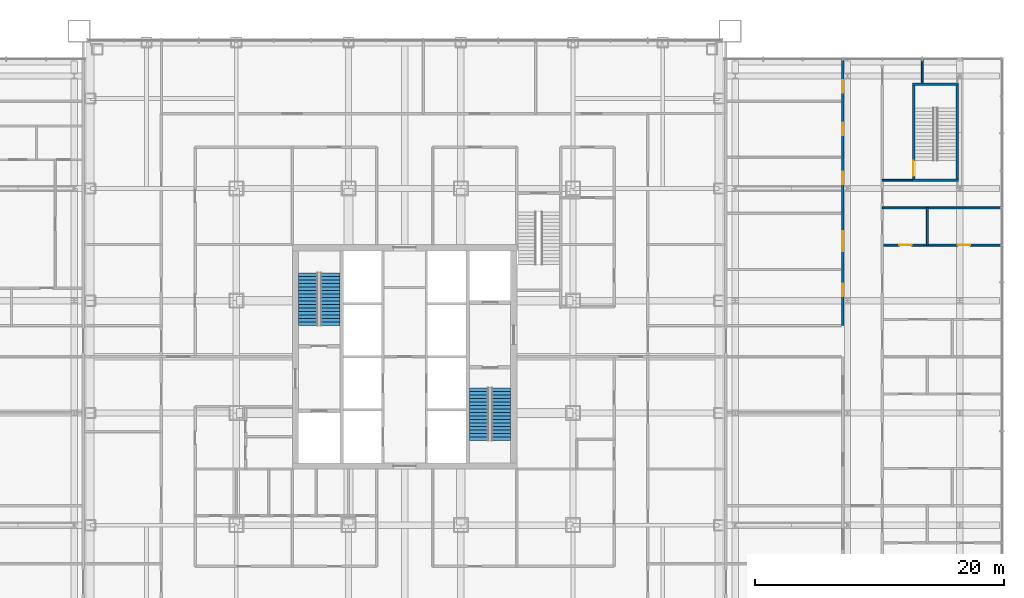
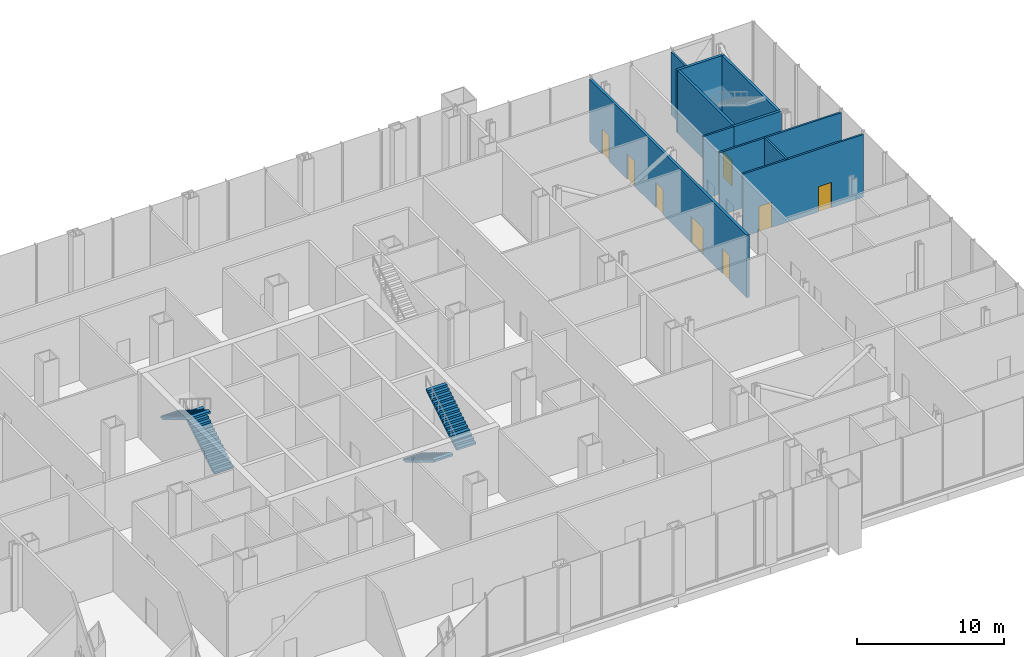
# One storey, part 19 of 25: 10 walls, 8 doors, 4 stair flights, 8 openings, 2 elements without a shape of their own.
"""IFC4 building model written with IfcOpenShell, lengths in metres."""

from ifc_helpers import new_model, si_unit, direction, frame, frame_2d, origin, place, context, subcontext, project, spatial, polyline, rectangle, outline, extrude, material, layer, layer_set, type_object, element, fill, aggregate, save


model = new_model("IFC4")

# Units and contexts
model_context = context("Model", 3, precision=1e-05, world=origin(), true_north=direction((0.0, 1.0)))
body_context = subcontext(model_context, "Body", "Model", "MODEL_VIEW")
ifc_project = project(units=[si_unit("LENGTHUNIT", "METRE"), si_unit("AREAUNIT", "SQUARE_METRE"), si_unit("VOLUMEUNIT", "CUBIC_METRE"), si_unit("PLANEANGLEUNIT", "RADIAN"), si_unit("MASSUNIT", "GRAM", prefix="KILO")], contexts=[model_context])

# Site, building, storey
site_placement = place(None, origin())
site = spatial("IfcSite", under=ifc_project, at=site_placement, CompositionType="ELEMENT")
building_placement = place(site_placement, origin())
building = spatial("IfcBuilding", under=site, at=building_placement, Name="Malebo Sky Hospital", CompositionType="ELEMENT")
storey_placement = place(building_placement, frame((0.0, 0.0, 11.0)))
storey = spatial("IfcBuildingStorey", under=building, at=storey_placement, Name="L02", CompositionType="ELEMENT", Elevation=11.0)

# Wall, openings, doors
ifc_material_1 = material(Name="Gypsum board on steel studs", Category="steel")
ifc_layer_1 = layer(ifc_material_1, 0.199951171875)
ifc_layer_set_1 = layer_set([ifc_layer_1], Name="CORRIDOR WALL 200")
wall_type_1 = type_object("IfcWallType", Name="CORRIDOR WALL 200", PredefinedType="PARTITIONING", material=ifc_layer_set_1)
wall_1_placement = place(storey_placement, frame((95.117919921875, 64.5, 0.0), z_axis=(0.0, 0.0, 1.0), x_axis=(0.0, 1.0, 0.0)))
wall_1 = element("IfcWall", 1, at=wall_1_placement, inside=storey, type_object=wall_type_1, Name="Corridor Wall 200 EWC2C", PredefinedType="PARTITIONING", context=body_context, shape_type="SweptSolid", body=[
    extrude(rectangle(XDim=21.35009765625, YDim=0.199951171875, at=frame_2d((10.675048828125, 0.0))), origin(), (0.0, 0.0, 1.0), 5.199951171875),
])
opening_1_placement = place(wall_1_placement, frame((2.35009765625, 0.0, 0.0)))
opening_1 = element("IfcOpeningElement", 2, at=opening_1_placement, cuts=wall_1, Name="Opening D03", PredefinedType="OPENING", context=body_context, shape_type="SweptSolid", body=[
    extrude(rectangle(XDim=1.0, YDim=2.10009765625, at=frame_2d((0.5, 1.050048828125))), frame((0.0, 0.10986328125, 0.0), z_axis=(0.0, -1.0, 0.0), x_axis=(1.0, 0.0, 0.0)), (0.0, 0.0, 1.0), 0.219970703125),
])
opening_2_placement = place(wall_1_placement, frame((5.949951171875, 0.0, 0.0)))
opening_2 = element("IfcOpeningElement", 3, at=opening_2_placement, cuts=wall_1, Name="Opening D14", PredefinedType="OPENING", context=body_context, shape_type="SweptSolid", body=[
    extrude(rectangle(XDim=1.60009765625, YDim=2.199951171875, at=frame_2d((0.800048828125, 1.10009765625))), frame((0.0, 0.10986328125, 0.0), z_axis=(0.0, -1.0, 0.0), x_axis=(1.0, 0.0, 0.0)), (0.0, 0.0, 1.0), 0.219970703125),
])
opening_3_placement = place(wall_1_placement, frame((11.35009765625, 0.0, 0.0)))
opening_3 = element("IfcOpeningElement", 4, at=opening_3_placement, cuts=wall_1, Name="Opening D03", PredefinedType="OPENING", context=body_context, shape_type="SweptSolid", body=[
    extrude(rectangle(XDim=1.0, YDim=2.10009765625, at=frame_2d((0.5, 1.050048828125))), frame((0.0, 0.10986328125, 0.0), z_axis=(0.0, -1.0, 0.0), x_axis=(1.0, 0.0, 0.0)), (0.0, 0.0, 1.0), 0.219970703125),
])
opening_4_placement = place(wall_1_placement, frame((15.25, 0.0, 0.0)))
opening_4 = element("IfcOpeningElement", 5, at=opening_4_placement, cuts=wall_1, Name="Opening D03", PredefinedType="OPENING", context=body_context, shape_type="SweptSolid", body=[
    extrude(rectangle(XDim=1.0, YDim=2.10009765625, at=frame_2d((0.5, 1.050048828125))), frame((0.0, 0.10986328125, 0.0), z_axis=(0.0, -1.0, 0.0), x_axis=(1.0, 0.0, 0.0)), (0.0, 0.0, 1.0), 0.219970703125),
])
opening_5_placement = place(wall_1_placement, frame((18.675048828125, 0.0, 0.0)))
opening_5 = element("IfcOpeningElement", 6, at=opening_5_placement, cuts=wall_1, Name="Opening D03", PredefinedType="OPENING", context=body_context, shape_type="SweptSolid", body=[
    extrude(rectangle(XDim=1.0, YDim=2.10009765625, at=frame_2d((0.5, 1.050048828125))), frame((0.0, 0.10986328125, 0.0), z_axis=(0.0, -1.0, 0.0), x_axis=(1.0, 0.0, 0.0)), (0.0, 0.0, 1.0), 0.219970703125),
])
ifc_material_2 = material(Name="Hardwood-faced door leaf in steel frame", Category="steel")
door_type_1 = type_object("IfcDoorType", Name="DEPARTMENT DOOR PAIR 1600", OperationType="DOUBLE_DOOR_DOUBLE_SWING", PredefinedType="DOOR", material=ifc_material_2)
door_1_placement = place(opening_2_placement, origin())
door_1 = element("IfcDoor", 7, at=door_1_placement, inside=storey, type_object=door_type_1, Name="Anaesthetic equipment store door", OperationType="DOUBLE_DOOR_DOUBLE_SWING", OverallHeight=2.199951171875, OverallWidth=1.60009765625, PredefinedType="DOOR", context=body_context, shape_type="SweptSolid", body=[
    extrude(rectangle(XDim=1.60009765625, YDim=2.199951171875, at=frame_2d((0.800048828125, 1.10009765625))), frame((0.0, 0.02490234375, 0.0), z_axis=(0.0, -1.0, 0.0), x_axis=(1.0, 0.0, 0.0)), (0.0, 0.0, 1.0), 0.050048828125),
])
fill(opening_2, door_1)
door_type_2 = type_object("IfcDoorType", Name="ROOM DOOR 1000", OperationType="SINGLE_SWING_LEFT", PredefinedType="DOOR", material=ifc_material_2)
door_2_placement = place(opening_1_placement, origin())
door_2 = element("IfcDoor", 8, at=door_2_placement, inside=storey, type_object=door_type_2, Name="Theatre staff base door", OperationType="SINGLE_SWING_RIGHT", OverallHeight=2.10009765625, OverallWidth=1.0, PredefinedType="DOOR", context=body_context, shape_type="SweptSolid", body=[
    extrude(rectangle(XDim=1.0, YDim=2.10009765625, at=frame_2d((0.5, 1.050048828125))), frame((0.0, 0.02490234375, 0.0), z_axis=(0.0, -1.0, 0.0), x_axis=(1.0, 0.0, 0.0)), (0.0, 0.0, 1.0), 0.050048828125),
])
fill(opening_1, door_2)
door_3_placement = place(opening_3_placement, origin())
door_3 = element("IfcDoor", 9, at=door_3_placement, inside=storey, type_object=door_type_2, Name="Theatre linen store door", OperationType="SINGLE_SWING_RIGHT", OverallHeight=2.10009765625, OverallWidth=1.0, PredefinedType="DOOR", context=body_context, shape_type="SweptSolid", body=[
    extrude(rectangle(XDim=1.0, YDim=2.10009765625, at=frame_2d((0.5, 1.050048828125))), frame((0.0, 0.02490234375, 0.0), z_axis=(0.0, -1.0, 0.0), x_axis=(1.0, 0.0, 0.0)), (0.0, 0.0, 1.0), 0.050048828125),
])
fill(opening_3, door_3)
door_4_placement = place(opening_4_placement, origin())
door_4 = element("IfcDoor", 10, at=door_4_placement, inside=storey, type_object=door_type_2, Name="Disposal hold door", OperationType="SINGLE_SWING_LEFT", OverallHeight=2.10009765625, OverallWidth=1.0, PredefinedType="DOOR", context=body_context, shape_type="SweptSolid", body=[
    extrude(rectangle(XDim=1.0, YDim=2.10009765625, at=frame_2d((0.5, 1.050048828125))), frame((0.0, 0.02490234375, 0.0), z_axis=(0.0, -1.0, 0.0), x_axis=(1.0, 0.0, 0.0)), (0.0, 0.0, 1.0), 0.050048828125),
])
fill(opening_4, door_4)
door_5_placement = place(opening_5_placement, origin())
door_5 = element("IfcDoor", 11, at=door_5_placement, inside=storey, type_object=door_type_2, Name="Staff rest room door", OperationType="SINGLE_SWING_LEFT", OverallHeight=2.10009765625, OverallWidth=1.0, PredefinedType="DOOR", context=body_context, shape_type="SweptSolid", body=[
    extrude(rectangle(XDim=1.0, YDim=2.10009765625, at=frame_2d((0.5, 1.050048828125))), frame((0.0, 0.02490234375, 0.0), z_axis=(0.0, -1.0, 0.0), x_axis=(1.0, 0.0, 0.0)), (0.0, 0.0, 1.0), 0.050048828125),
])
fill(opening_5, door_5)

# Walls
ifc_layer_2 = layer(ifc_material_1, 0.14990234375)
ifc_layer_set_2 = layer_set([ifc_layer_2], Name="PARTITION 150")
wall_type_2 = type_object("IfcWallType", Name="PARTITION 150", PredefinedType="PARTITIONING", material=ifc_layer_set_2)
wall_2_placement = place(storey_placement, frame((100.699951171875, 76.14990234375, 0.0), z_axis=(0.0, 0.0, 1.0), x_axis=(-1.0, 0.0, 0.0)))
element("IfcWall", 12, at=wall_2_placement, inside=storey, type_object=wall_type_2, Name="Partition 150 ELS", PredefinedType="PARTITIONING", context=body_context, shape_type="SweptSolid", body=[
    extrude(rectangle(XDim=2.39306640625, YDim=0.14990234375, at=frame_2d((1.196533203125, 0.0))), origin(), (0.0, 0.0, 1.0), 5.199951171875),
])
wall_3_placement = place(storey_placement, frame((101.49609375, 83.949951171875, 0.0), z_axis=(0.0, 0.0, 1.0), x_axis=(0.0, 1.0, 0.0)))
element("IfcWall", 13, at=wall_3_placement, inside=storey, type_object=wall_type_2, Name="Partition 150 ELW", PredefinedType="PARTITIONING", context=body_context, shape_type="SweptSolid", body=[
    extrude(rectangle(XDim=1.900146484375, YDim=0.14990234375, at=frame_2d((0.9501953125, 0.0))), origin(), (0.0, 0.0, 1.0), 5.199951171875),
])
wall_4_placement = place(storey_placement, frame((107.85009765625, 73.9375, 0.0), z_axis=(0.0, 0.0, 1.0), x_axis=(-1.0, 0.0, 0.0)))
element("IfcWall", 14, at=wall_4_placement, inside=storey, type_object=wall_type_2, Name="Partition 150 ESP", PredefinedType="PARTITIONING", context=body_context, shape_type="SweptSolid", body=[
    extrude(rectangle(XDim=9.543212890625, YDim=0.14990234375, at=frame_2d((4.771484375, 0.0))), origin(), (0.0, 0.0, 1.0), 5.199951171875),
])

# Wall, openings, doors
wall_5_placement = place(storey_placement, frame((107.85009765625, 70.953125, 0.0), z_axis=(0.0, 0.0, 1.0), x_axis=(-1.0, 0.0, 0.0)))
wall_5 = element("IfcWall", 15, at=wall_5_placement, inside=storey, type_object=wall_type_2, Name="Partition 150 EOH07", PredefinedType="PARTITIONING", context=body_context, shape_type="SweptSolid", body=[
    extrude(rectangle(XDim=9.443115234375, YDim=0.14990234375, at=frame_2d((4.7216796875, 0.0))), origin(), (0.0, 0.0, 1.0), 5.199951171875),
])
opening_6_placement = place(wall_5_placement, frame((7.193115234375, 0.0, 0.0)))
opening_6 = element("IfcOpeningElement", 16, at=opening_6_placement, cuts=wall_5, Name="Opening D03", PredefinedType="OPENING", context=body_context, shape_type="SweptSolid", body=[
    extrude(rectangle(XDim=1.0, YDim=2.10009765625, at=frame_2d((0.5, 1.050048828125))), frame((0.0, 0.0849609375, 0.0), z_axis=(0.0, -1.0, 0.0), x_axis=(1.0, 0.0, 0.0)), (0.0, 0.0, 1.0), 0.169921875),
])
opening_7_placement = place(wall_5_placement, frame((2.521484375, 0.0, 0.0)))
opening_7 = element("IfcOpeningElement", 17, at=opening_7_placement, cuts=wall_5, Name="Opening D03", PredefinedType="OPENING", context=body_context, shape_type="SweptSolid", body=[
    extrude(rectangle(XDim=1.0, YDim=2.10009765625, at=frame_2d((0.5, 1.050048828125))), frame((0.0, 0.0849609375, 0.0), z_axis=(0.0, -1.0, 0.0), x_axis=(1.0, 0.0, 0.0)), (0.0, 0.0, 1.0), 0.169921875),
])
door_6_placement = place(opening_6_placement, origin())
door_6 = element("IfcDoor", 18, at=door_6_placement, inside=storey, type_object=door_type_2, Name="Scrub room inner door", OperationType="SINGLE_SWING_LEFT", OverallHeight=2.10009765625, OverallWidth=1.0, PredefinedType="DOOR", context=body_context, shape_type="SweptSolid", body=[
    extrude(rectangle(XDim=1.0, YDim=2.10009765625, at=frame_2d((0.5, 1.050048828125))), frame((0.0, 0.02490234375, 0.0), z_axis=(0.0, -1.0, 0.0), x_axis=(1.0, 0.0, 0.0)), (0.0, 0.0, 1.0), 0.050048828125),
])
fill(opening_6, door_6)
door_7_placement = place(opening_7_placement, origin())
door_7 = element("IfcDoor", 19, at=door_7_placement, inside=storey, type_object=door_type_2, Name="Preparation room inner door", OperationType="SINGLE_SWING_RIGHT", OverallHeight=2.10009765625, OverallWidth=1.0, PredefinedType="DOOR", context=body_context, shape_type="SweptSolid", body=[
    extrude(rectangle(XDim=1.0, YDim=2.10009765625, at=frame_2d((0.5, 1.050048828125))), frame((0.0, 0.02490234375, 0.0), z_axis=(0.0, -1.0, 0.0), x_axis=(1.0, 0.0, 0.0)), (0.0, 0.0, 1.0), 0.050048828125),
])
fill(opening_7, door_7)

# Walls
wall_6_placement = place(storey_placement, frame((101.906982421875, 70.953125, 0.0), z_axis=(0.0, 0.0, 1.0), x_axis=(0.0, 1.0, 0.0)))
element("IfcWall", 20, at=wall_6_placement, inside=storey, type_object=wall_type_2, Name="Partition 150 EOV13", PredefinedType="PARTITIONING", context=body_context, shape_type="SweptSolid", body=[
    extrude(rectangle(XDim=2.984375, YDim=0.14990234375, at=frame_2d((1.4921875, 0.0))), origin(), (0.0, 0.0, 1.0), 5.199951171875),
])
ifc_material_3 = material(Name="Concrete C40/50", Category="concrete")
ifc_layer_3 = layer(ifc_material_3, 0.199951171875)
ifc_layer_set_3 = layer_set([ifc_layer_3], Name="STAIR ENCLOSURE WALL 200")
wall_type_3 = type_object("IfcWallType", Name="STAIR ENCLOSURE WALL 200", PredefinedType="SOLIDWALL", material=ifc_layer_set_3)
for number, where, z_axis, x_axis, name in (
    (21, (100.699951171875, 76.14990234375, 0.0), (0.0, 0.0, 1.0), (1.0, 0.0, 0.0), "Stair Enclosure Wall 200 ESS"),
    (22, (100.699951171875, 83.85009765625, 0.0), (0.0, 0.0, 1.0), (1.0, 0.0, 0.0), "Stair Enclosure Wall 200 ESN"),
):
    element("IfcWall", number, at=place(storey_placement, frame(where, z_axis=z_axis, x_axis=x_axis)), inside=storey, type_object=wall_type_3, Name=name, PredefinedType="SOLIDWALL", context=body_context, shape_type="SweptSolid", body=[
        extrude(rectangle(XDim=3.699951171875, YDim=0.199951171875, at=frame_2d((1.85009765625, 0.0))), origin(), (0.0, 0.0, 1.0), 5.199951171875),
    ])

# Wall, opening, door
wall_7_placement = place(storey_placement, frame((100.800048828125, 76.25, 0.0), z_axis=(0.0, 0.0, 1.0), x_axis=(0.0, 1.0, 0.0)))
wall_7 = element("IfcWall", 23, at=wall_7_placement, inside=storey, type_object=wall_type_3, Name="Stair Enclosure Wall 200 ESW", PredefinedType="SOLIDWALL", context=body_context, shape_type="SweptSolid", body=[
    extrude(rectangle(XDim=7.5, YDim=0.199951171875, at=frame_2d((3.75, 0.0))), origin(), (0.0, 0.0, 1.0), 5.199951171875),
])
opening_8_placement = place(wall_7_placement, frame((0.25, 0.0, 0.0)))
opening_8 = element("IfcOpeningElement", 24, at=opening_8_placement, cuts=wall_7, Name="Opening D08", PredefinedType="OPENING", context=body_context, shape_type="SweptSolid", body=[
    extrude(rectangle(XDim=1.199951171875, YDim=2.10009765625, at=frame_2d((0.60009765625, 1.050048828125))), frame((0.0, 0.10986328125, 0.0), z_axis=(0.0, -1.0, 0.0), x_axis=(1.0, 0.0, 0.0)), (0.0, 0.0, 1.0), 0.219970703125),
])
door_type_3 = type_object("IfcDoorType", Name="STAIR DOOR 1200", OperationType="SINGLE_SWING_LEFT", PredefinedType="DOOR", material=ifc_material_2)
door_8_placement = place(opening_8_placement, origin())
door_8 = element("IfcDoor", 25, at=door_8_placement, inside=storey, type_object=door_type_3, Name="Stair ES door", OperationType="SINGLE_SWING_LEFT", OverallHeight=2.10009765625, OverallWidth=1.199951171875, PredefinedType="DOOR", context=body_context, shape_type="SweptSolid", body=[
    extrude(rectangle(XDim=1.199951171875, YDim=2.10009765625, at=frame_2d((0.60009765625, 1.050048828125))), frame((0.0, 0.02490234375, 0.0), z_axis=(0.0, -1.0, 0.0), x_axis=(1.0, 0.0, 0.0)), (0.0, 0.0, 1.0), 0.050048828125),
])
fill(opening_8, door_8)

# Wall
wall_8_placement = place(storey_placement, frame((104.300048828125, 76.25, 0.0), z_axis=(0.0, 0.0, 1.0), x_axis=(0.0, 1.0, 0.0)))
element("IfcWall", 26, at=wall_8_placement, inside=storey, type_object=wall_type_3, Name="Stair Enclosure Wall 200 ESE", PredefinedType="SOLIDWALL", context=body_context, shape_type="SweptSolid", body=[
    extrude(rectangle(XDim=7.5, YDim=0.199951171875, at=frame_2d((3.75, 0.0))), origin(), (0.0, 0.0, 1.0), 5.199951171875),
])

# Stair, stair flights
stair_type = type_object("IfcStairType", Name="HALF-TURN STAIR 1500 R172", PredefinedType="HALF_TURN_STAIR", material=ifc_material_3)
stair_1_placement = place(storey_placement, origin())
stair_1 = element("IfcStair", 27, at=stair_1_placement, inside=storey, type_object=stair_type, Name="Stair S1 L02 type ST2", PredefinedType="HALF_TURN_STAIR")
stair_flight_type = type_object("IfcStairFlightType", Name="STAIR FLIGHT 1500 R172", PredefinedType="STRAIGHT", material=ifc_material_3)
stair_flight_1_placement = place(storey_placement, frame((54.050048828125, 64.5, 0.0), z_axis=(0.0, 0.0, 1.0), x_axis=(0.0, 1.0, 0.0)))
stair_flight_1 = element("IfcStairFlight", 28, at=stair_flight_1_placement, type_object=stair_flight_type, Name="S1 flight 1 type SF2", NumberOfRisers=16, NumberOfTreads=15, PredefinedType="STRAIGHT", RiserHeight=0.171875, TreadLength=0.28, context=body_context, shape_type="SweptSolid", body=[
    extrude(outline(polyline([(0.0, 0.0), (0.0, 0.171875), (0.280029296875, 0.171875), (0.280029296875, 0.34375), (0.56005859375, 0.34375), (0.56005859375, 0.515625), (0.840087890625, 0.515625), (0.840087890625, 0.6875), (1.1201171875, 0.6875), (1.1201171875, 0.859375), (1.39990234375, 0.859375), (1.39990234375, 1.03125), (1.679931640625, 1.03125), (1.679931640625, 1.203125), (1.9599609375, 1.203125), (1.9599609375, 1.375), (2.239990234375, 1.375), (2.239990234375, 1.546875), (2.52001953125, 1.546875), (2.52001953125, 1.71875), (2.800048828125, 1.71875), (2.800048828125, 1.890625), (3.080078125, 1.890625), (3.080078125, 2.0625), (3.360107421875, 2.0625), (3.360107421875, 2.234375), (3.639892578125, 2.234375), (3.639892578125, 2.40625), (3.919921875, 2.40625), (3.919921875, 2.578125), (4.199951171875, 2.578125), (4.199951171875, 2.75), (4.199951171875, 2.40234375), (0.28662109375, 0.0), (0.0, 0.0)])), frame((0.0, 0.75, 0.0), z_axis=(0.0, -1.0, 0.0), x_axis=(1.0, 0.0, 0.0)), (0.0, 0.0, 1.0), 1.5),
])
stair_flight_2_placement = place(storey_placement, frame((52.25, 68.699951171875, 2.75), z_axis=(0.0, 0.0, 1.0), x_axis=(0.0, -1.0, 0.0)))
stair_flight_2 = element("IfcStairFlight", 29, at=stair_flight_2_placement, type_object=stair_flight_type, Name="S1 flight 2 type SF2", NumberOfRisers=16, NumberOfTreads=15, PredefinedType="STRAIGHT", RiserHeight=0.171875, TreadLength=0.28, context=body_context, shape_type="SweptSolid", body=[
    extrude(outline(polyline([(0.0, 0.0), (0.0, 0.171875), (0.280029296875, 0.171875), (0.280029296875, 0.34375), (0.56005859375, 0.34375), (0.56005859375, 0.515625), (0.840087890625, 0.515625), (0.840087890625, 0.6875), (1.1201171875, 0.6875), (1.1201171875, 0.859375), (1.39990234375, 0.859375), (1.39990234375, 1.03125), (1.679931640625, 1.03125), (1.679931640625, 1.203125), (1.9599609375, 1.203125), (1.9599609375, 1.375), (2.239990234375, 1.375), (2.239990234375, 1.546875), (2.52001953125, 1.546875), (2.52001953125, 1.71875), (2.800048828125, 1.71875), (2.800048828125, 1.890625), (3.080078125, 1.890625), (3.080078125, 2.0625), (3.360107421875, 2.0625), (3.360107421875, 2.234375), (3.639892578125, 2.234375), (3.639892578125, 2.40625), (3.919921875, 2.40625), (3.919921875, 2.578125), (4.199951171875, 2.578125), (4.199951171875, 2.75), (4.199951171875, 2.40234375), (0.28662109375, 0.0), (0.0, 0.0)])), frame((0.0, 0.75, 0.0), z_axis=(0.0, -1.0, 0.0), x_axis=(1.0, 0.0, 0.0)), (0.0, 0.0, 1.0), 1.5),
])
aggregate(stair_1, [stair_flight_1, stair_flight_2])

stair_2_placement = place(storey_placement, origin())
stair_2 = element("IfcStair", 30, at=stair_2_placement, inside=storey, type_object=stair_type, Name="Stair S2 L02 type ST2", PredefinedType="HALF_TURN_STAIR")
stair_flight_3_placement = place(storey_placement, frame((65.949951171875, 59.5, 0.0), z_axis=(0.0, 0.0, 1.0), x_axis=(0.0, -1.0, 0.0)))
stair_flight_3 = element("IfcStairFlight", 31, at=stair_flight_3_placement, type_object=stair_flight_type, Name="S2 flight 1 type SF2", NumberOfRisers=16, NumberOfTreads=15, PredefinedType="STRAIGHT", RiserHeight=0.171875, TreadLength=0.28, context=body_context, shape_type="SweptSolid", body=[
    extrude(outline(polyline([(0.0, 0.0), (0.0, 0.171875), (0.280029296875, 0.171875), (0.280029296875, 0.34375), (0.56005859375, 0.34375), (0.56005859375, 0.515625), (0.840087890625, 0.515625), (0.840087890625, 0.6875), (1.1201171875, 0.6875), (1.1201171875, 0.859375), (1.39990234375, 0.859375), (1.39990234375, 1.03125), (1.679931640625, 1.03125), (1.679931640625, 1.203125), (1.9599609375, 1.203125), (1.9599609375, 1.375), (2.239990234375, 1.375), (2.239990234375, 1.546875), (2.52001953125, 1.546875), (2.52001953125, 1.71875), (2.800048828125, 1.71875), (2.800048828125, 1.890625), (3.080078125, 1.890625), (3.080078125, 2.0625), (3.360107421875, 2.0625), (3.360107421875, 2.234375), (3.639892578125, 2.234375), (3.639892578125, 2.40625), (3.919921875, 2.40625), (3.919921875, 2.578125), (4.199951171875, 2.578125), (4.199951171875, 2.75), (4.199951171875, 2.40234375), (0.28662109375, 0.0), (0.0, 0.0)])), frame((0.0, 0.75, 0.0), z_axis=(0.0, -1.0, 0.0), x_axis=(1.0, 0.0, 0.0)), (0.0, 0.0, 1.0), 1.5),
])
stair_flight_4_placement = place(storey_placement, frame((67.75, 55.300048828125, 2.75), z_axis=(0.0, 0.0, 1.0), x_axis=(0.0, 1.0, 0.0)))
stair_flight_4 = element("IfcStairFlight", 32, at=stair_flight_4_placement, type_object=stair_flight_type, Name="S2 flight 2 type SF2", NumberOfRisers=16, NumberOfTreads=15, PredefinedType="STRAIGHT", RiserHeight=0.171875, TreadLength=0.28, context=body_context, shape_type="SweptSolid", body=[
    extrude(outline(polyline([(0.0, 0.0), (0.0, 0.171875), (0.280029296875, 0.171875), (0.280029296875, 0.34375), (0.56005859375, 0.34375), (0.56005859375, 0.515625), (0.840087890625, 0.515625), (0.840087890625, 0.6875), (1.1201171875, 0.6875), (1.1201171875, 0.859375), (1.39990234375, 0.859375), (1.39990234375, 1.03125), (1.679931640625, 1.03125), (1.679931640625, 1.203125), (1.9599609375, 1.203125), (1.9599609375, 1.375), (2.239990234375, 1.375), (2.239990234375, 1.546875), (2.52001953125, 1.546875), (2.52001953125, 1.71875), (2.800048828125, 1.71875), (2.800048828125, 1.890625), (3.080078125, 1.890625), (3.080078125, 2.0625), (3.360107421875, 2.0625), (3.360107421875, 2.234375), (3.639892578125, 2.234375), (3.639892578125, 2.40625), (3.919921875, 2.40625), (3.919921875, 2.578125), (4.199951171875, 2.578125), (4.199951171875, 2.75), (4.199951171875, 2.40234375), (0.28662109375, 0.0), (0.0, 0.0)])), frame((0.0, 0.75, 0.0), z_axis=(0.0, -1.0, 0.0), x_axis=(1.0, 0.0, 0.0)), (0.0, 0.0, 1.0), 1.5),
])
aggregate(stair_2, [stair_flight_3, stair_flight_4])

save(model, "model.ifc")
